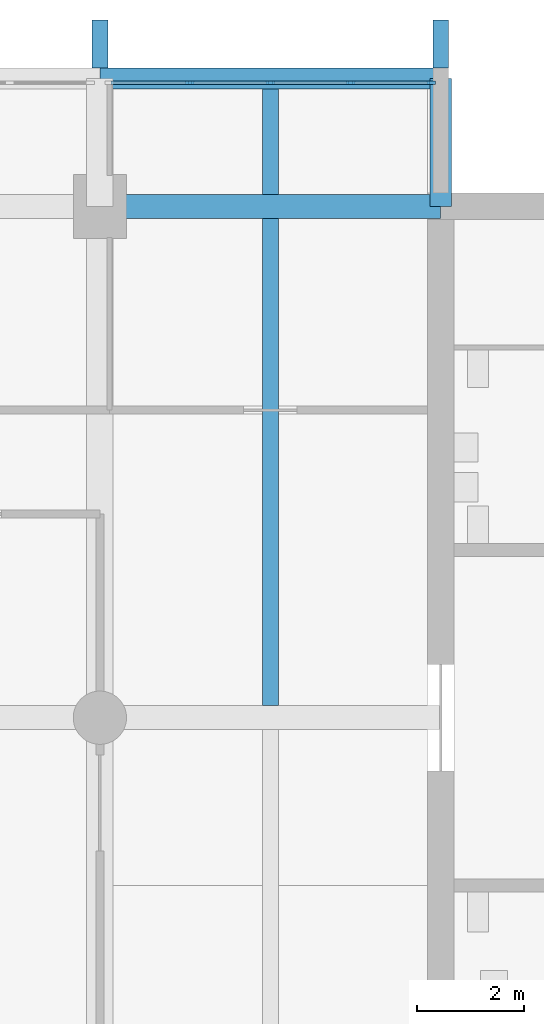
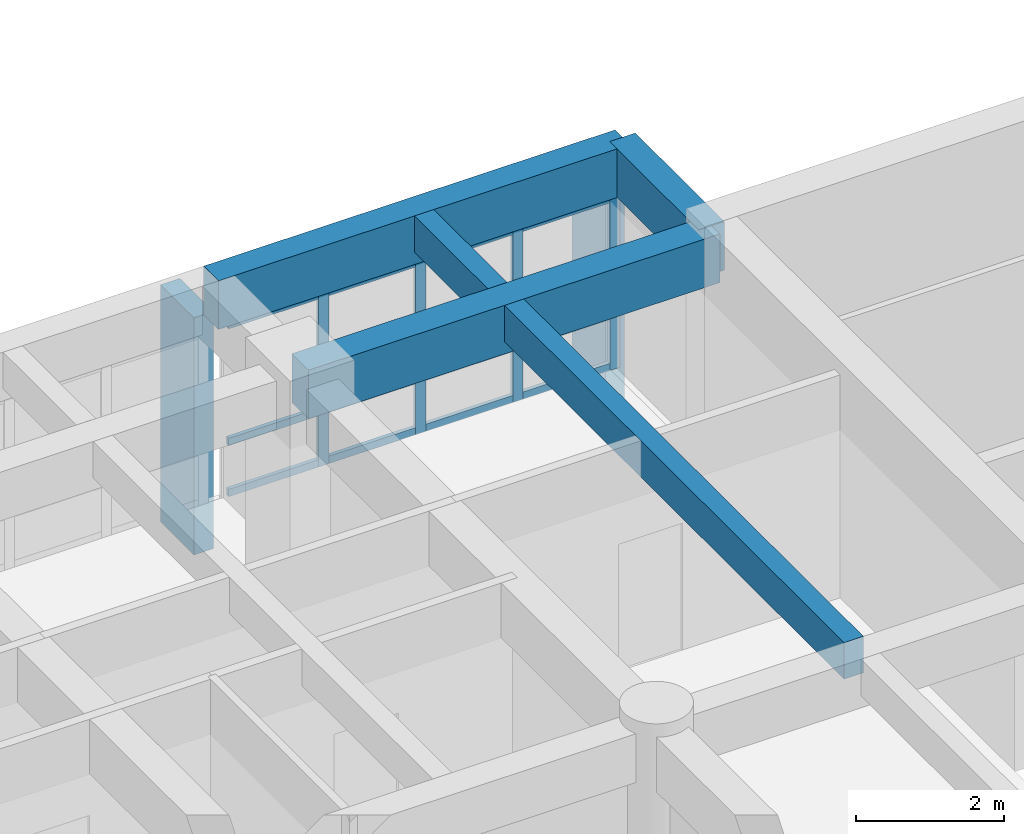
# One storey, part 6 of 15: 18 members, 5 beams, 1 element without a shape of its own.
"""IFC4 building model written with IfcOpenShell, lengths in metres."""

from ifc_helpers import new_model, si_unit, direction, frame, origin, origin_2d, place, context, subcontext, project, spatial, rectangle, extrude, material, layer, layer_set, material_profile, profile_set, type_object, element, aggregate, save


model = new_model("IFC4")

# Units and contexts
model_context = context("Model", 3, precision=1e-05, world=origin(), true_north=direction((0.0, 1.0)))
body_context = subcontext(model_context, "Body", "Model", "MODEL_VIEW")
ifc_project = project(units=[si_unit("LENGTHUNIT", "METRE"), si_unit("AREAUNIT", "SQUARE_METRE"), si_unit("VOLUMEUNIT", "CUBIC_METRE"), si_unit("PLANEANGLEUNIT", "RADIAN"), si_unit("MASSUNIT", "GRAM", prefix="KILO")], contexts=[model_context])

# Site, building, storey
site_placement = place(None, origin())
site = spatial("IfcSite", under=ifc_project, at=site_placement, CompositionType="ELEMENT")
building_placement = place(site_placement, origin())
building = spatial("IfcBuilding", under=site, at=building_placement, Name="Fogon Plaza Fire Station and Headquarters Tower", CompositionType="ELEMENT")
storey_placement = place(building_placement, frame((0.0, 0.0, 32.699951171875)))
storey = spatial("IfcBuildingStorey", under=building, at=storey_placement, Name="L08", CompositionType="ELEMENT", Elevation=32.699951171875)

# Beams
ifc_material_1 = material(Name="Concrete C40", Category="concrete")
ifc_material_profile_1 = material_profile(ifc_material_1, rectangle(XDim=0.39990234375, YDim=0.800048828125, at=origin_2d()), Name="RC 400x800")
ifc_profile_set_1 = profile_set([ifc_material_profile_1], Name="Concrete C40")
beam_type_1 = type_object("IfcBeamType", Name="BEAM RC 400x800", PredefinedType="BEAM", material=ifc_profile_set_1)
beam_1_placement = place(storey_placement, frame((57.60009765625, 55.199951171875, 3.280029296875), z_axis=(1.0, 0.0, 0.0), x_axis=(0.0, 1.0, 0.0)))
element("IfcBeam", 1, at=beam_1_placement, inside=storey, type_object=beam_type_1, Name="beam-L08-050", PredefinedType="BEAM", context=body_context, shape_type="SweptSolid", body=[
    extrude(rectangle(XDim=0.39990234375, YDim=0.800048828125, at=origin_2d()), origin(), (0.0, 0.0, 1.0), 6.39990234375),
])
ifc_material_2 = material(Name="Concrete C40", Category="concrete")
ifc_material_profile_2 = material_profile(ifc_material_2, rectangle(XDim=0.39990234375, YDim=0.800048828125, at=origin_2d()), Name="RC 400x800")
ifc_profile_set_2 = profile_set([ifc_material_profile_2], Name="Concrete C40")
beam_type_2 = type_object("IfcBeamType", Name="BEAM RC 400x800 SPAN 0.0 TO 3.0 M", PredefinedType="BEAM", material=ifc_profile_set_2)
beam_2_placement = place(storey_placement, frame((64.0, 52.800048828125, 3.280029296875), z_axis=(0.0, 1.0, 0.0), x_axis=(-1.0, 0.0, 0.0)))
element("IfcBeam", 2, at=beam_2_placement, inside=storey, type_object=beam_type_2, Name="beam-L08-054", PredefinedType="BEAM", context=body_context, shape_type="SweptSolid", body=[
    extrude(rectangle(XDim=0.39990234375, YDim=0.800048828125, at=origin_2d()), origin(), (0.0, 0.0, 1.0), 2.39990234375),
])
ifc_material_3 = material(Name="Concrete C40", Category="concrete")
ifc_material_profile_3 = material_profile(ifc_material_3, rectangle(XDim=0.449951171875, YDim=0.800048828125, at=origin_2d()), Name="RC 450x800")
ifc_profile_set_3 = profile_set([ifc_material_profile_3], Name="Concrete C40")
beam_type_3 = type_object("IfcBeamType", Name="BEAM RC 450x800", PredefinedType="BEAM", material=ifc_profile_set_3)
beam_3_placement = place(storey_placement, frame((57.60009765625, 52.800048828125, 3.280029296875), z_axis=(1.0, 0.0, 0.0), x_axis=(0.0, 1.0, 0.0)))
element("IfcBeam", 3, at=beam_3_placement, inside=storey, type_object=beam_type_3, Name="beam-L08-038", PredefinedType="BEAM", context=body_context, shape_type="SweptSolid", body=[
    extrude(rectangle(XDim=0.449951171875, YDim=0.800048828125, at=origin_2d()), origin(), (0.0, 0.0, 1.0), 6.39990234375),
])

# Curtain wall, members
ifc_material_4 = material(Name="Aluminium and glass", Category="aluminium")
ifc_layer = layer(ifc_material_4, 0.14990234375)
ifc_layer_set = layer_set([ifc_layer], Name="Aluminium and glass")
curtain_wall_type = type_object("IfcCurtainWallType", Name="Unitised Curtain Wall Run 6100x2880", PredefinedType="NOTDEFINED", material=ifc_layer_set)
curtain_wall_placement = place(storey_placement, origin())
curtain_wall = element("IfcCurtainWall", 4, at=curtain_wall_placement, inside=storey, type_object=curtain_wall_type, Name="CW-6100x2880 N6 L08", PredefinedType="NOTDEFINED")
ifc_material_5 = material(Name="Aluminium", Category="aluminium")
ifc_material_profile_4 = material_profile(ifc_material_5, rectangle(XDim=0.06005859375, YDim=0.159912109375, at=origin_2d()), Name="Curtain Wall Mullion 60x160")
ifc_profile_set_4 = profile_set([ifc_material_profile_4], Name="Aluminium")
member_type_1 = type_object("IfcMemberType", Name="Curtain Wall Mullion 60x160", PredefinedType="MULLION", material=ifc_profile_set_4)
member_1_placement = place(storey_placement, frame((59.2900390625, 55.1201171875, 0.0), z_axis=(0.0, 0.0, 1.0), x_axis=(0.0, 1.0, 0.0)))
member_1 = element("IfcMember", 5, at=member_1_placement, type_object=member_type_1, Name="CW-6100x2880 mullion 2", PredefinedType="MULLION", context=body_context, shape_type="SweptSolid", body=[
    extrude(rectangle(XDim=0.06005859375, YDim=0.159912109375, at=origin_2d()), origin(), (0.0, 0.0, 1.0), 2.880126953125),
])
member_2_placement = place(storey_placement, frame((60.800048828125, 55.1201171875, 0.0), z_axis=(0.0, 0.0, 1.0), x_axis=(0.0, 1.0, 0.0)))
member_2 = element("IfcMember", 6, at=member_2_placement, type_object=member_type_1, Name="CW-6100x2880 mullion 3", PredefinedType="MULLION", context=body_context, shape_type="SweptSolid", body=[
    extrude(rectangle(XDim=0.06005859375, YDim=0.159912109375, at=origin_2d()), origin(), (0.0, 0.0, 1.0), 2.880126953125),
])
member_3_placement = place(storey_placement, frame((62.31005859375, 55.1201171875, 0.0), z_axis=(0.0, 0.0, 1.0), x_axis=(0.0, 1.0, 0.0)))
member_3 = element("IfcMember", 7, at=member_3_placement, type_object=member_type_1, Name="CW-6100x2880 mullion 4", PredefinedType="MULLION", context=body_context, shape_type="SweptSolid", body=[
    extrude(rectangle(XDim=0.06005859375, YDim=0.159912109375, at=origin_2d()), origin(), (0.0, 0.0, 1.0), 2.880126953125),
])
member_4_placement = place(storey_placement, frame((63.820068359375, 55.1201171875, 0.0), z_axis=(0.0, 0.0, 1.0), x_axis=(0.0, 1.0, 0.0)))
member_4 = element("IfcMember", 8, at=member_4_placement, type_object=member_type_1, Name="CW-6100x2880 mullion 5", PredefinedType="MULLION", context=body_context, shape_type="SweptSolid", body=[
    extrude(rectangle(XDim=0.06005859375, YDim=0.159912109375, at=origin_2d()), origin(), (0.0, 0.0, 1.0), 2.880126953125),
])
ifc_material_6 = material(Name="Aluminium", Category="aluminium")
ifc_material_profile_5 = material_profile(ifc_material_6, rectangle(XDim=0.06005859375, YDim=0.1201171875, at=origin_2d()), Name="Curtain Wall Transom 60x120")
ifc_profile_set_5 = profile_set([ifc_material_profile_5], Name="Aluminium")
member_type_2 = type_object("IfcMemberType", Name="Curtain Wall Transom 60x120", PredefinedType="USERDEFINED", material=ifc_profile_set_5)
member_5_placement = place(storey_placement, frame((57.81005859375, 55.1201171875, 0.06005859375), z_axis=(1.0, 0.0, 0.0), x_axis=(0.0, 1.0, 0.0)))
member_5 = element("IfcMember", 9, at=member_5_placement, type_object=member_type_2, Name="CW-6100x2880 transom 1.1", ObjectType="TRANSOM", PredefinedType="USERDEFINED", context=body_context, shape_type="SweptSolid", body=[
    extrude(rectangle(XDim=0.06005859375, YDim=0.1201171875, at=origin_2d()), origin(), (0.0, 0.0, 1.0), 1.449951171875),
])
member_6_placement = place(storey_placement, frame((57.81005859375, 55.1201171875, 0.900146484375), z_axis=(1.0, 0.0, 0.0), x_axis=(0.0, 1.0, 0.0)))
member_6 = element("IfcMember", 10, at=member_6_placement, type_object=member_type_2, Name="CW-6100x2880 transom 1.2", ObjectType="TRANSOM", PredefinedType="USERDEFINED", context=body_context, shape_type="SweptSolid", body=[
    extrude(rectangle(XDim=0.06005859375, YDim=0.1201171875, at=origin_2d()), origin(), (0.0, 0.0, 1.0), 1.449951171875),
])
member_7_placement = place(storey_placement, frame((57.81005859375, 55.1201171875, 2.820068359375), z_axis=(1.0, 0.0, 0.0), x_axis=(0.0, 1.0, 0.0)))
member_7 = element("IfcMember", 11, at=member_7_placement, type_object=member_type_2, Name="CW-6100x2880 transom 1.3", ObjectType="TRANSOM", PredefinedType="USERDEFINED", context=body_context, shape_type="SweptSolid", body=[
    extrude(rectangle(XDim=0.06005859375, YDim=0.1201171875, at=origin_2d()), origin(), (0.0, 0.0, 1.0), 1.449951171875),
])
member_8_placement = place(storey_placement, frame((59.320068359375, 55.1201171875, 0.06005859375), z_axis=(1.0, 0.0, 0.0), x_axis=(0.0, 1.0, 0.0)))
member_8 = element("IfcMember", 12, at=member_8_placement, type_object=member_type_2, Name="CW-6100x2880 transom 2.1", ObjectType="TRANSOM", PredefinedType="USERDEFINED", context=body_context, shape_type="SweptSolid", body=[
    extrude(rectangle(XDim=0.06005859375, YDim=0.1201171875, at=origin_2d()), origin(), (0.0, 0.0, 1.0), 1.449951171875),
])
member_9_placement = place(storey_placement, frame((59.320068359375, 55.1201171875, 0.900146484375), z_axis=(1.0, 0.0, 0.0), x_axis=(0.0, 1.0, 0.0)))
member_9 = element("IfcMember", 13, at=member_9_placement, type_object=member_type_2, Name="CW-6100x2880 transom 2.2", ObjectType="TRANSOM", PredefinedType="USERDEFINED", context=body_context, shape_type="SweptSolid", body=[
    extrude(rectangle(XDim=0.06005859375, YDim=0.1201171875, at=origin_2d()), origin(), (0.0, 0.0, 1.0), 1.449951171875),
])
member_10_placement = place(storey_placement, frame((59.320068359375, 55.1201171875, 2.820068359375), z_axis=(1.0, 0.0, 0.0), x_axis=(0.0, 1.0, 0.0)))
member_10 = element("IfcMember", 14, at=member_10_placement, type_object=member_type_2, Name="CW-6100x2880 transom 2.3", ObjectType="TRANSOM", PredefinedType="USERDEFINED", context=body_context, shape_type="SweptSolid", body=[
    extrude(rectangle(XDim=0.06005859375, YDim=0.1201171875, at=origin_2d()), origin(), (0.0, 0.0, 1.0), 1.449951171875),
])
member_11_placement = place(storey_placement, frame((60.830078125, 55.1201171875, 0.06005859375), z_axis=(1.0, 0.0, 0.0), x_axis=(0.0, 1.0, 0.0)))
member_11 = element("IfcMember", 15, at=member_11_placement, type_object=member_type_2, Name="CW-6100x2880 transom 3.1", ObjectType="TRANSOM", PredefinedType="USERDEFINED", context=body_context, shape_type="SweptSolid", body=[
    extrude(rectangle(XDim=0.06005859375, YDim=0.1201171875, at=origin_2d()), origin(), (0.0, 0.0, 1.0), 1.449951171875),
])
member_12_placement = place(storey_placement, frame((60.830078125, 55.1201171875, 0.900146484375), z_axis=(1.0, 0.0, 0.0), x_axis=(0.0, 1.0, 0.0)))
member_12 = element("IfcMember", 16, at=member_12_placement, type_object=member_type_2, Name="CW-6100x2880 transom 3.2", ObjectType="TRANSOM", PredefinedType="USERDEFINED", context=body_context, shape_type="SweptSolid", body=[
    extrude(rectangle(XDim=0.06005859375, YDim=0.1201171875, at=origin_2d()), origin(), (0.0, 0.0, 1.0), 1.449951171875),
])
member_13_placement = place(storey_placement, frame((60.830078125, 55.1201171875, 2.820068359375), z_axis=(1.0, 0.0, 0.0), x_axis=(0.0, 1.0, 0.0)))
member_13 = element("IfcMember", 17, at=member_13_placement, type_object=member_type_2, Name="CW-6100x2880 transom 3.3", ObjectType="TRANSOM", PredefinedType="USERDEFINED", context=body_context, shape_type="SweptSolid", body=[
    extrude(rectangle(XDim=0.06005859375, YDim=0.1201171875, at=origin_2d()), origin(), (0.0, 0.0, 1.0), 1.449951171875),
])
member_14_placement = place(storey_placement, frame((62.340087890625, 55.1201171875, 0.06005859375), z_axis=(1.0, 0.0, 0.0), x_axis=(0.0, 1.0, 0.0)))
member_14 = element("IfcMember", 18, at=member_14_placement, type_object=member_type_2, Name="CW-6100x2880 transom 4.1", ObjectType="TRANSOM", PredefinedType="USERDEFINED", context=body_context, shape_type="SweptSolid", body=[
    extrude(rectangle(XDim=0.06005859375, YDim=0.1201171875, at=origin_2d()), origin(), (0.0, 0.0, 1.0), 1.449951171875),
])
member_15_placement = place(storey_placement, frame((62.340087890625, 55.1201171875, 0.900146484375), z_axis=(1.0, 0.0, 0.0), x_axis=(0.0, 1.0, 0.0)))
member_15 = element("IfcMember", 19, at=member_15_placement, type_object=member_type_2, Name="CW-6100x2880 transom 4.2", ObjectType="TRANSOM", PredefinedType="USERDEFINED", context=body_context, shape_type="SweptSolid", body=[
    extrude(rectangle(XDim=0.06005859375, YDim=0.1201171875, at=origin_2d()), origin(), (0.0, 0.0, 1.0), 1.449951171875),
])
member_16_placement = place(storey_placement, frame((62.340087890625, 55.1201171875, 2.820068359375), z_axis=(1.0, 0.0, 0.0), x_axis=(0.0, 1.0, 0.0)))
member_16 = element("IfcMember", 20, at=member_16_placement, type_object=member_type_2, Name="CW-6100x2880 transom 4.3", ObjectType="TRANSOM", PredefinedType="USERDEFINED", context=body_context, shape_type="SweptSolid", body=[
    extrude(rectangle(XDim=0.06005859375, YDim=0.1201171875, at=origin_2d()), origin(), (0.0, 0.0, 1.0), 1.449951171875),
])
aggregate(curtain_wall, [member_1, member_2, member_3, member_4, member_5, member_6, member_7, member_8, member_9, member_10, member_11, member_12, member_13, member_14, member_15, member_16])

# Beams
ifc_material_7 = material(Name="Concrete C40", Category="concrete")
ifc_material_profile_6 = material_profile(ifc_material_7, rectangle(XDim=0.300048828125, YDim=0.60009765625, at=origin_2d()), Name="RC 300x600")
ifc_profile_set_6 = profile_set([ifc_material_profile_6], Name="Concrete C40")
beam_type_4 = type_object("IfcBeamType", Name="JOIST RC 300x600", PredefinedType="JOIST", material=ifc_profile_set_6)
beam_4_placement = place(storey_placement, frame((60.800048828125, 43.425048828125, 3.380126953125), z_axis=(0.0, 1.0, 0.0), x_axis=(-1.0, 0.0, 0.0)))
element("IfcBeam", 21, at=beam_4_placement, inside=storey, type_object=beam_type_4, Name="beam-L08-077", PredefinedType="JOIST", context=body_context, shape_type="SweptSolid", body=[
    extrude(rectangle(XDim=0.300048828125, YDim=0.60009765625, at=origin_2d()), origin(), (0.0, 0.0, 1.0), 9.14990234375),
])
ifc_material_8 = material(Name="Concrete C40", Category="concrete")
ifc_material_profile_7 = material_profile(ifc_material_8, rectangle(XDim=0.300048828125, YDim=0.60009765625, at=origin_2d()), Name="RC 300x600")
ifc_profile_set_7 = profile_set([ifc_material_profile_7], Name="Concrete C40")
beam_type_5 = type_object("IfcBeamType", Name="JOIST RC 300x600 SPAN 0.0 TO 3.0 M", PredefinedType="JOIST", material=ifc_profile_set_7)
beam_5_placement = place(storey_placement, frame((60.800048828125, 53.02490234375, 3.380126953125), z_axis=(0.0, 1.0, 0.0), x_axis=(-1.0, 0.0, 0.0)))
element("IfcBeam", 22, at=beam_5_placement, inside=storey, type_object=beam_type_5, Name="beam-L08-078", PredefinedType="JOIST", context=body_context, shape_type="SweptSolid", body=[
    extrude(rectangle(XDim=0.300048828125, YDim=0.60009765625, at=origin_2d()), origin(), (0.0, 0.0, 1.0), 1.97509765625),
])

# Members
ifc_material_9 = material(Name="Concrete C40 precast", Category="concrete")
ifc_material_profile_8 = material_profile(ifc_material_9, rectangle(XDim=0.300048828125, YDim=0.89990234375, at=origin_2d()), Name="Precast Concrete Post 300x900")
ifc_profile_set_8 = profile_set([ifc_material_profile_8], Name="Concrete C40 precast")
member_type_3 = type_object("IfcMemberType", Name="Precast Concrete Post 300x900", PredefinedType="POST", material=ifc_profile_set_8)
for number, where, z_axis, x_axis, name in (
    (23, (57.60009765625, 55.85009765625, -1.02001953125), (0.0, 0.0, 1.0), (1.0, 0.0, 0.0), "Precast Post N L08"),
    (24, (64.0, 55.85009765625, -1.02001953125), (0.0, 0.0, 1.0), (1.0, 0.0, 0.0), "Precast Post N L08"),
):
    element("IfcMember", number, at=place(storey_placement, frame(where, z_axis=z_axis, x_axis=x_axis)), inside=storey, type_object=member_type_3, Name=name, PredefinedType="POST", context=body_context, shape_type="SweptSolid", body=[
        extrude(rectangle(XDim=0.300048828125, YDim=0.89990234375, at=origin_2d()), origin(), (0.0, 0.0, 1.0), 3.900146484375),
    ])

save(model, "model.ifc")
